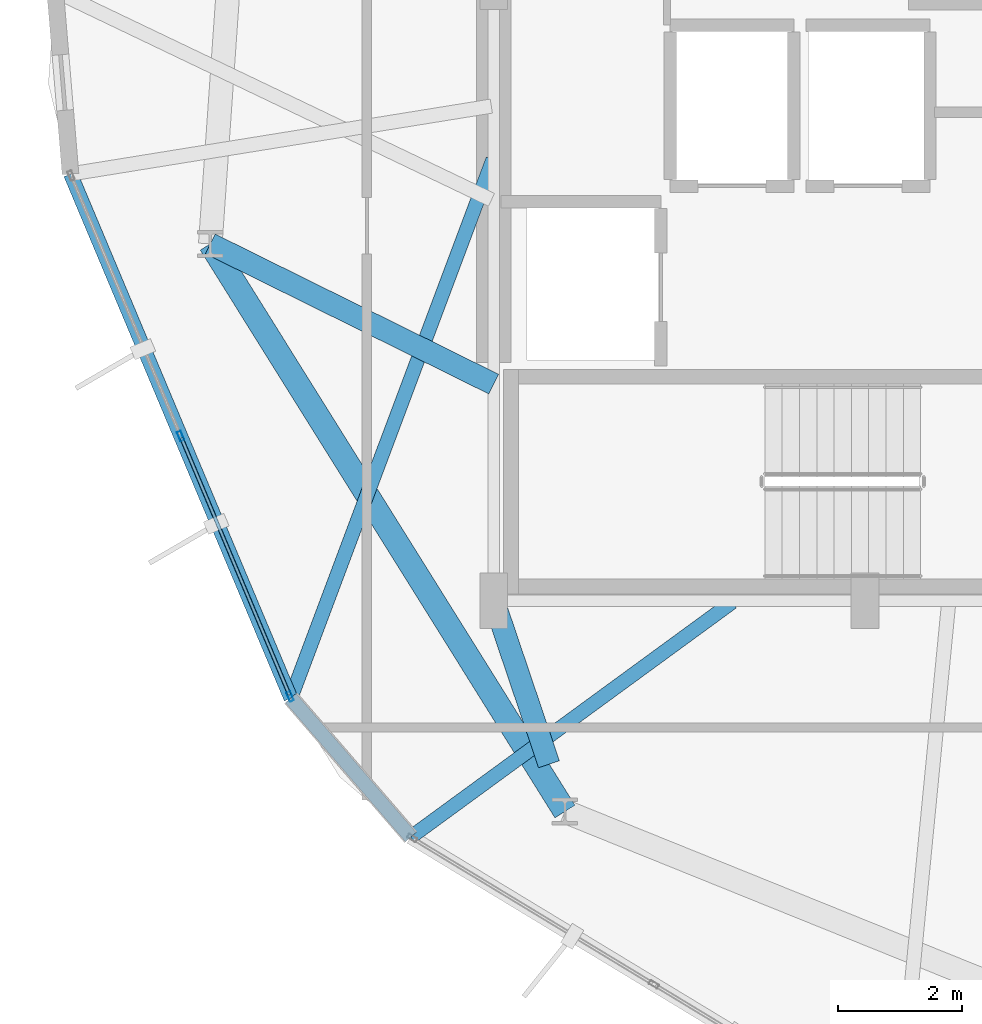
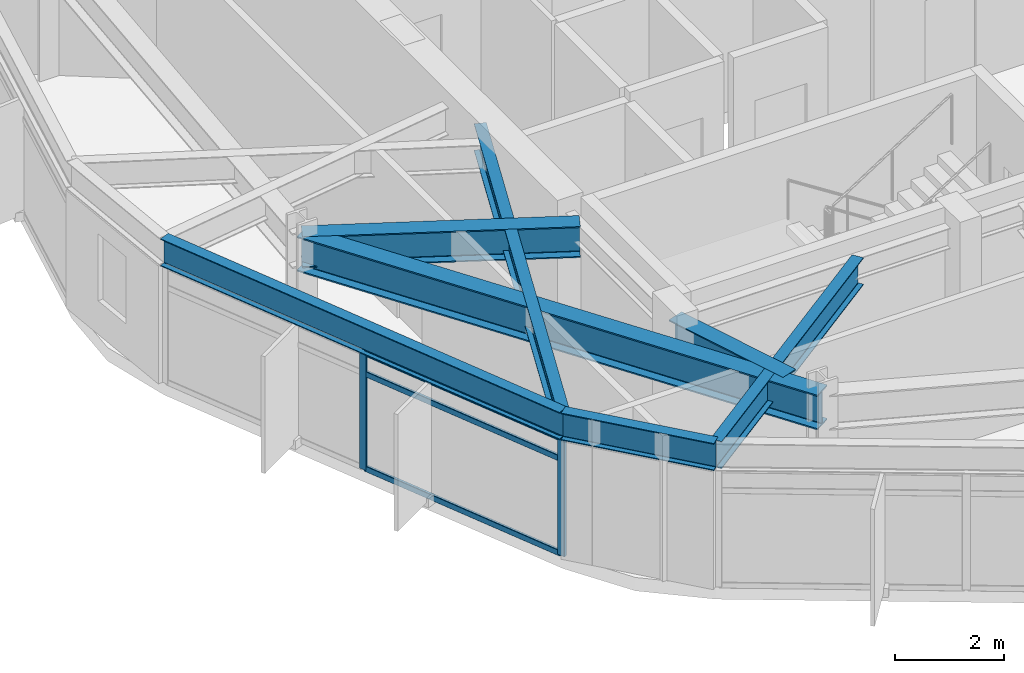
# One storey, part 3 of 27: 7 beams, 5 members, 1 element without a shape of its own.
"""IFC4 building model written with IfcOpenShell, lengths in metres."""

from ifc_helpers import new_model, si_unit, direction, frame, origin, origin_2d, place, context, subcontext, project, spatial, hollow_rectangle, i_section, extrude, material, layer, layer_set, material_profile, profile_set, type_object, element, aggregate, save


model = new_model("IFC4")

# Units and contexts
model_context = context("Model", 3, precision=1e-05, world=origin(), true_north=direction((0.0, 1.0)))
body_context = subcontext(model_context, "Body", "Model", "MODEL_VIEW")
ifc_project = project(units=[si_unit("LENGTHUNIT", "METRE"), si_unit("AREAUNIT", "SQUARE_METRE"), si_unit("VOLUMEUNIT", "CUBIC_METRE"), si_unit("PLANEANGLEUNIT", "RADIAN"), si_unit("MASSUNIT", "GRAM", prefix="KILO")], contexts=[model_context])

# Site, building, storey
site_placement = place(None, origin())
site = spatial("IfcSite", under=ifc_project, at=site_placement, CompositionType="ELEMENT")
building_placement = place(site_placement, origin())
building = spatial("IfcBuilding", under=site, at=building_placement, Name="Soratama Intermodal Tower", CompositionType="ELEMENT")
storey_placement = place(building_placement, frame((0.0, 0.0, 182.199951171875)))
storey = spatial("IfcBuildingStorey", under=building, at=storey_placement, Name="L45", CompositionType="ELEMENT", Elevation=182.199951171875)

# Beams
ifc_material_1 = material(Name="Structural steel ASTM A992 Grade 50", Category="steel")
ifc_material_profile_1 = material_profile(ifc_material_1, i_section(OverallWidth=0.35498046875, OverallDepth=0.695068359375, WebThickness=0.015380859375, FlangeThickness=0.02490234375, FilletRadius=0.01611328125, at=origin_2d()), Name="W27X146")
ifc_profile_set_1 = profile_set([ifc_material_profile_1], Name="Structural steel ASTM A992 Grade 50")
beam_type_1 = type_object("IfcBeamType", Name="BM-RING-W27X146", PredefinedType="BEAM", material=ifc_profile_set_1)
beam_1_placement = place(storey_placement, frame((32.60009765625, 18.5, 2.91259765625), z_axis=(-0.89629219718, 0.443463975172, 0.0), x_axis=(-0.443463975172, -0.89629219718, 0.0)))
element("IfcBeam", 1, at=beam_1_placement, inside=storey, type_object=beam_type_1, Name="BM-L45-RAD-06", PredefinedType="BEAM", context=body_context, shape_type="SweptSolid", body=[
    extrude(i_section(OverallWidth=0.35498046875, OverallDepth=0.695068359375, WebThickness=0.015380859375, FlangeThickness=0.02490234375, FilletRadius=0.01611328125, at=origin_2d()), origin(), (0.0, 0.0, 1.0), 5.110107421875),
])
beam_2_placement = place(storey_placement, frame((32.60009765625, 15.0, 2.91259765625), z_axis=(0.32013816754, -0.947370863856, 0.0), x_axis=(0.947370863856, 0.32013816754, 0.0)))
element("IfcBeam", 2, at=beam_2_placement, inside=storey, type_object=beam_type_1, Name="BM-L45-RAD-07", PredefinedType="BEAM", context=body_context, shape_type="SweptSolid", body=[
    extrude(i_section(OverallWidth=0.35498046875, OverallDepth=0.695068359375, WebThickness=0.015380859375, FlangeThickness=0.02490234375, FilletRadius=0.01611328125, at=origin_2d()), origin(), (0.0, 0.0, 1.0), 2.788818359375),
])
ifc_material_2 = material(Name="Structural steel ASTM A992 Grade 50", Category="steel")
ifc_material_profile_2 = material_profile(ifc_material_2, i_section(OverallWidth=0.382080078125, OverallDepth=0.779052734375, WebThickness=0.01806640625, FlangeThickness=0.030029296875, FilletRadius=0.01806640625, at=origin_2d()), Name="W30X191")
ifc_profile_set_2 = profile_set([ifc_material_profile_2], Name="Structural steel ASTM A992 Grade 50")
beam_type_2 = type_object("IfcBeamType", Name="BM-RING-W30X191", PredefinedType="BEAM", material=ifc_profile_set_2)
beam_3_placement = place(storey_placement, frame((28.02001953125, 20.76611328125, 2.87060546875), z_axis=(0.529891394359, -0.84806551055, 0.0), x_axis=(0.84806551055, 0.529891394359, 0.0)))
element("IfcBeam", 3, at=beam_3_placement, inside=storey, type_object=beam_type_2, Name="BM-L45-RING-06", PredefinedType="BEAM", context=body_context, shape_type="SweptSolid", body=[
    extrude(i_section(OverallWidth=0.382080078125, OverallDepth=0.779052734375, WebThickness=0.01806640625, FlangeThickness=0.030029296875, FilletRadius=0.01806640625, at=origin_2d()), origin(), (0.0, 0.0, 1.0), 10.8154296875),
])
ifc_material_3 = material(Name="Structural steel ASTM A992 Grade 50", Category="steel")
ifc_material_profile_3 = material_profile(ifc_material_3, i_section(OverallWidth=0.22900390625, OverallDepth=0.612060546875, WebThickness=0.011962890625, FlangeThickness=0.01953125, FilletRadius=0.012939453125, at=origin_2d()), Name="W24X84")
ifc_profile_set_3 = profile_set([ifc_material_profile_3], Name="Structural steel ASTM A992 Grade 50")
beam_type_3 = type_object("IfcBeamType", Name="BM-SPN-W24X84", PredefinedType="SPANDREL", material=ifc_profile_set_3)
beam_4_placement = place(storey_placement, frame((25.760986328125, 21.89599609375, 2.9541015625), z_axis=(0.38747958256, -0.921878285404, 0.0), x_axis=(0.921878285404, 0.38747958256, 0.0)))
element("IfcBeam", 4, at=beam_4_placement, inside=storey, type_object=beam_type_3, Name="BS-L45-F05", PredefinedType="SPANDREL", context=body_context, shape_type="SweptSolid", body=[
    extrude(i_section(OverallWidth=0.22900390625, OverallDepth=0.612060546875, WebThickness=0.011962890625, FlangeThickness=0.01953125, FilletRadius=0.012939453125, at=origin_2d()), origin(), (0.0, 0.0, 1.0), 9.187744140625),
])
beam_5_placement = place(storey_placement, frame((29.321044921875, 13.426025390625, 2.9541015625), z_axis=(0.653268409099, -0.757126400064, 0.0), x_axis=(0.757126400064, 0.653268409099, 0.0)))
element("IfcBeam", 5, at=beam_5_placement, inside=storey, type_object=beam_type_3, Name="BS-L45-CRN05", PredefinedType="SPANDREL", context=body_context, shape_type="SweptSolid", body=[
    extrude(i_section(OverallWidth=0.22900390625, OverallDepth=0.612060546875, WebThickness=0.011962890625, FlangeThickness=0.01953125, FilletRadius=0.012939453125, at=origin_2d()), origin(), (0.0, 0.0, 1.0), 2.966552734375),
])
ifc_material_4 = material(Name="Structural steel ASTM A992 Grade 50", Category="steel")
ifc_material_profile_4 = material_profile(ifc_material_4, i_section(OverallWidth=0.22900390625, OverallDepth=0.612060546875, WebThickness=0.011962890625, FlangeThickness=0.01953125, FilletRadius=0.012939453125, at=origin_2d()), Name="W24X84")
ifc_profile_set_4 = profile_set([ifc_material_profile_4], Name="Structural steel ASTM A992 Grade 50")
beam_type_4 = type_object("IfcBeamType", Name="BM-TIE-W24X84", PredefinedType="BEAM", material=ifc_profile_set_4)
beam_6_placement = place(storey_placement, frame((32.5859375, 22.1279296875, 2.9541015625), z_axis=(-0.35128176415, -0.93626979134, 0.0), x_axis=(0.93626979134, -0.35128176415, 0.0)))
element("IfcBeam", 6, at=beam_6_placement, inside=storey, type_object=beam_type_4, Name="BM-L45-TIE1-05", PredefinedType="BEAM", context=body_context, shape_type="SweptSolid", body=[
    extrude(i_section(OverallWidth=0.22900390625, OverallDepth=0.612060546875, WebThickness=0.011962890625, FlangeThickness=0.01953125, FilletRadius=0.012939453125, at=origin_2d()), origin(), (0.0, 0.0, 1.0), 9.294189453125),
])
beam_7_placement = place(storey_placement, frame((36.452880859375, 14.97607421875, 2.9541015625), z_axis=(-0.80734383796, -0.59008128873, 0.0), x_axis=(0.59008128873, -0.80734383796, 0.0)))
element("IfcBeam", 7, at=beam_7_placement, inside=storey, type_object=beam_type_4, Name="BM-L45-TIE0-06", PredefinedType="BEAM", context=body_context, shape_type="SweptSolid", body=[
    extrude(i_section(OverallWidth=0.22900390625, OverallDepth=0.612060546875, WebThickness=0.011962890625, FlangeThickness=0.01953125, FilletRadius=0.012939453125, at=origin_2d()), origin(), (0.0, 0.0, 1.0), 6.433349609375),
])

# Curtain wall, members
ifc_material_5 = material(Name="Double-glazed aluminium curtain wall", Category="aluminium")
ifc_layer = layer(ifc_material_5, 0.159912109375)
ifc_layer_set = layer_set([ifc_layer], Name="Double-glazed aluminium curtain wall")
curtain_wall_type = type_object("IfcCurtainWallType", Name="CW-SYS-4", PredefinedType="NOTDEFINED", material=ifc_layer_set)
curtain_wall_placement = place(storey_placement, origin())
curtain_wall = element("IfcCurtainWall", 8, at=curtain_wall_placement, inside=storey, type_object=curtain_wall_type, Name="L45 Faceted Curtain Wall F05", PredefinedType="NOTDEFINED")
ifc_material_6 = material(Name="Anodised aluminium AA 6063-T6", Category="aluminium")
ifc_material_profile_5 = material_profile(ifc_material_6, hollow_rectangle(XDim=0.070068359375, YDim=0.159912109375, WallThickness=0.0048828125, InnerFilletRadius=0.0048828125, OuterFilletRadius=0.010009765625, at=origin_2d()), Name="CWM160X70X5")
ifc_profile_set_5 = profile_set([ifc_material_profile_5], Name="Anodised aluminium AA 6063-T6")
member_type_1 = type_object("IfcMemberType", Name="MT-CWM-4", PredefinedType="MULLION", material=ifc_profile_set_5)
member_1_placement = place(storey_placement, frame((27.540771484375, 17.660888671875, 0.0), z_axis=(0.0, 0.0, 1.0), x_axis=(0.921860983025, 0.387520745221, 0.0)))
member_1 = element("IfcMember", 9, at=member_1_placement, type_object=member_type_1, Name="CW-4 mullion 2", PredefinedType="MULLION", context=body_context, shape_type="SweptSolid", body=[
    extrude(hollow_rectangle(XDim=0.070068359375, YDim=0.159912109375, WallThickness=0.0048828125, InnerFilletRadius=0.0048828125, OuterFilletRadius=0.010009765625, at=origin_2d()), origin(), (0.0, 0.0, 1.0), 2.63916015625),
])
member_2_placement = place(storey_placement, frame((29.3095703125, 13.453369140625, 0.0), z_axis=(0.0, 0.0, 1.0), x_axis=(0.921860983025, 0.387520745221, 0.0)))
member_2 = element("IfcMember", 10, at=member_2_placement, type_object=member_type_1, Name="CW-4 mullion 3", PredefinedType="MULLION", context=body_context, shape_type="SweptSolid", body=[
    extrude(hollow_rectangle(XDim=0.070068359375, YDim=0.159912109375, WallThickness=0.0048828125, InnerFilletRadius=0.0048828125, OuterFilletRadius=0.010009765625, at=origin_2d()), origin(), (0.0, 0.0, 1.0), 2.63916015625),
])
ifc_material_7 = material(Name="Anodised aluminium AA 6063-T6", Category="aluminium")
ifc_material_profile_6 = material_profile(ifc_material_7, hollow_rectangle(XDim=0.06005859375, YDim=0.1298828125, WallThickness=0.0048828125, InnerFilletRadius=0.0048828125, OuterFilletRadius=0.010009765625, at=origin_2d()), Name="CWT130X60X5")
ifc_profile_set_6 = profile_set([ifc_material_profile_6], Name="Anodised aluminium AA 6063-T6")
member_type_2 = type_object("IfcMemberType", Name="TT-CWT-2", PredefinedType="USERDEFINED", material=ifc_profile_set_6)
member_3_placement = place(storey_placement, frame((27.552490234375, 17.633056640625, 0.030029296875), z_axis=(0.387511693412, -0.921864788062, 0.0), x_axis=(0.921864788062, 0.387511693412, 0.0)))
member_3 = element("IfcMember", 11, at=member_3_placement, type_object=member_type_2, Name="CW-4 transom 2.1", ObjectType="TRANSOM", PredefinedType="USERDEFINED", context=body_context, shape_type="SweptSolid", body=[
    extrude(hollow_rectangle(XDim=0.06005859375, YDim=0.1298828125, WallThickness=0.0048828125, InnerFilletRadius=0.0048828125, OuterFilletRadius=0.010009765625, at=origin_2d()), origin(), (0.0, 0.0, 1.0), 4.50390625),
])
member_4_placement = place(storey_placement, frame((27.552490234375, 17.633056640625, 2.150146484375), z_axis=(0.387511693412, -0.921864788062, 0.0), x_axis=(0.921864788062, 0.387511693412, 0.0)))
member_4 = element("IfcMember", 12, at=member_4_placement, type_object=member_type_2, Name="CW-4 transom 2.2", ObjectType="TRANSOM", PredefinedType="USERDEFINED", context=body_context, shape_type="SweptSolid", body=[
    extrude(hollow_rectangle(XDim=0.06005859375, YDim=0.1298828125, WallThickness=0.0048828125, InnerFilletRadius=0.0048828125, OuterFilletRadius=0.010009765625, at=origin_2d()), origin(), (0.0, 0.0, 1.0), 4.50390625),
])
member_5_placement = place(storey_placement, frame((27.552490234375, 17.633056640625, 2.609130859375), z_axis=(0.387511693412, -0.921864788062, 0.0), x_axis=(0.921864788062, 0.387511693412, 0.0)))
member_5 = element("IfcMember", 13, at=member_5_placement, type_object=member_type_2, Name="CW-4 transom 2.3", ObjectType="TRANSOM", PredefinedType="USERDEFINED", context=body_context, shape_type="SweptSolid", body=[
    extrude(hollow_rectangle(XDim=0.06005859375, YDim=0.1298828125, WallThickness=0.0048828125, InnerFilletRadius=0.0048828125, OuterFilletRadius=0.010009765625, at=origin_2d()), origin(), (0.0, 0.0, 1.0), 4.50390625),
])
aggregate(curtain_wall, [member_1, member_2, member_3, member_4, member_5])

save(model, "model.ifc")
